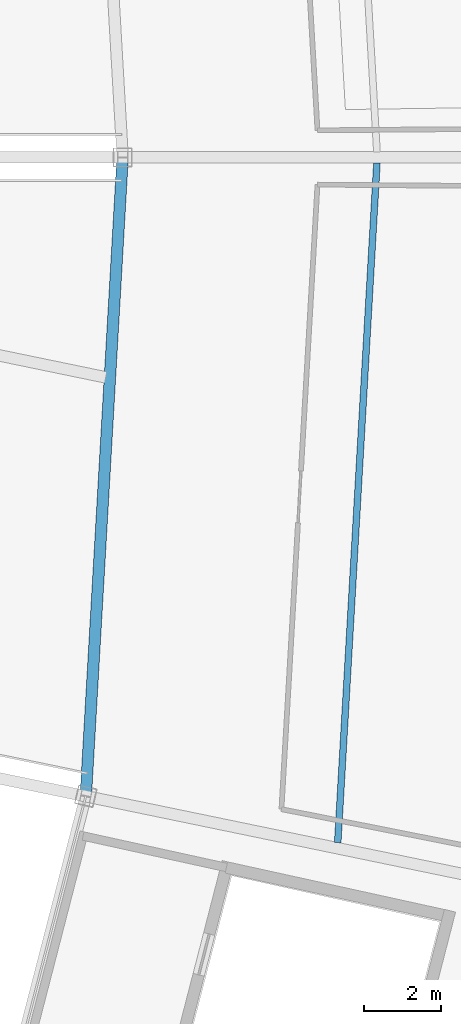
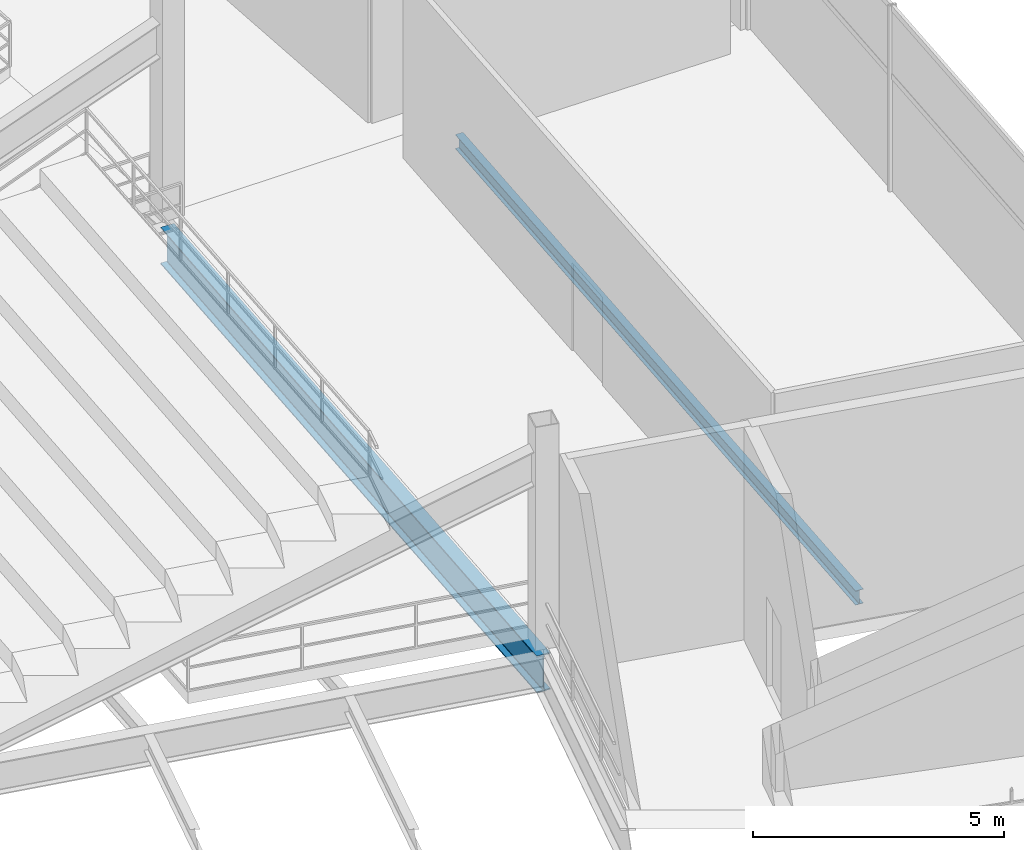
# One storey, part 70 of 186: 2 beams.
"""IFC4 building model written with IfcOpenShell, lengths in metres."""

from ifc_helpers import new_model, si_unit, direction, frame, origin, origin_2d, place, context, subcontext, project, spatial, i_section, extrude, material, material_profile, profile_set, type_object, element, save


model = new_model("IFC4")

# Units and contexts
model_context = context("Model", 3, precision=1e-05, world=origin(), true_north=direction((0.0, 1.0)))
body_context = subcontext(model_context, "Body", "Model", "MODEL_VIEW")
ifc_project = project(units=[si_unit("LENGTHUNIT", "METRE"), si_unit("AREAUNIT", "SQUARE_METRE"), si_unit("VOLUMEUNIT", "CUBIC_METRE"), si_unit("PLANEANGLEUNIT", "RADIAN"), si_unit("MASSUNIT", "GRAM", prefix="KILO")], contexts=[model_context])

# Site, building, storey
site_placement = place(None, origin())
site = spatial("IfcSite", under=ifc_project, at=site_placement, CompositionType="ELEMENT")
building_placement = place(site_placement, origin())
building = spatial("IfcBuilding", under=site, at=building_placement, Name="Kazemori Nagisa Stadium", CompositionType="ELEMENT")
storey_placement = place(building_placement, frame((0.0, 0.0, 20.39990234375)))
storey = spatial("IfcBuildingStorey", under=building, at=storey_placement, Name="L04", CompositionType="ELEMENT", Elevation=20.39990234375)

# Beams
ifc_material = material(Name="Steel SN490B", Category="steel")
ifc_material_profile_1 = material_profile(ifc_material, i_section(OverallWidth=0.300048828125, OverallDepth=0.89990234375, WebThickness=0.01611328125, FlangeThickness=0.028076171875, FilletRadius=0.01806640625, at=origin_2d()), Name="H-900x300x16x28")
ifc_profile_set_1 = profile_set([ifc_material_profile_1], Name="Steel SN490B")
beam_type_1 = type_object("IfcBeamType", Name="Beam_BG-H900", PredefinedType="BEAM", material=ifc_profile_set_1)
beam_1_placement = place(storey_placement, frame((203.737548828125, 85.31787109375, -0.75), z_axis=(0.057594854854, 0.998340038611, 0.0), x_axis=(-0.998340038611, 0.057594854854, 0.0)))
element("IfcBeam", 1, at=beam_1_placement, inside=storey, type_object=beam_type_1, Name="Ring girder BG-H900 L04 R2-28", PredefinedType="BEAM", context=body_context, shape_type="SweptSolid", body=[
    extrude(i_section(OverallWidth=0.300048828125, OverallDepth=0.89990234375, WebThickness=0.01611328125, FlangeThickness=0.028076171875, FilletRadius=0.01806640625, at=origin_2d()), origin(), (0.0, 0.0, 1.0), 16.7099609375),
])
ifc_material_profile_2 = material_profile(ifc_material, i_section(OverallWidth=0.175048828125, OverallDepth=0.35009765625, WebThickness=0.007080078125, FlangeThickness=0.010986328125, FilletRadius=0.012939453125, at=origin_2d()), Name="H-350x175x7x11")
ifc_profile_set_2 = profile_set([ifc_material_profile_2], Name="Steel SN490B")
beam_type_2 = type_object("IfcBeamType", Name="Beam_BJ-H350", PredefinedType="JOIST", material=ifc_profile_set_2)
beam_2_placement = place(storey_placement, frame((210.3173828125, 84.10498046875, -0.474853515625), z_axis=(0.057603114818, 0.998339562055, 0.0), x_axis=(-0.998339562055, 0.057603114818, 0.0)))
element("IfcBeam", 2, at=beam_2_placement, inside=storey, type_object=beam_type_2, Name="Outer bay joist BJ-H350 L04 B28", PredefinedType="JOIST", context=body_context, shape_type="SweptSolid", body=[
    extrude(i_section(OverallWidth=0.175048828125, OverallDepth=0.35009765625, WebThickness=0.007080078125, FlangeThickness=0.010986328125, FilletRadius=0.012939453125, at=origin_2d()), origin(), (0.0, 0.0, 1.0), 17.77978515625),
])

save(model, "model.ifc")
